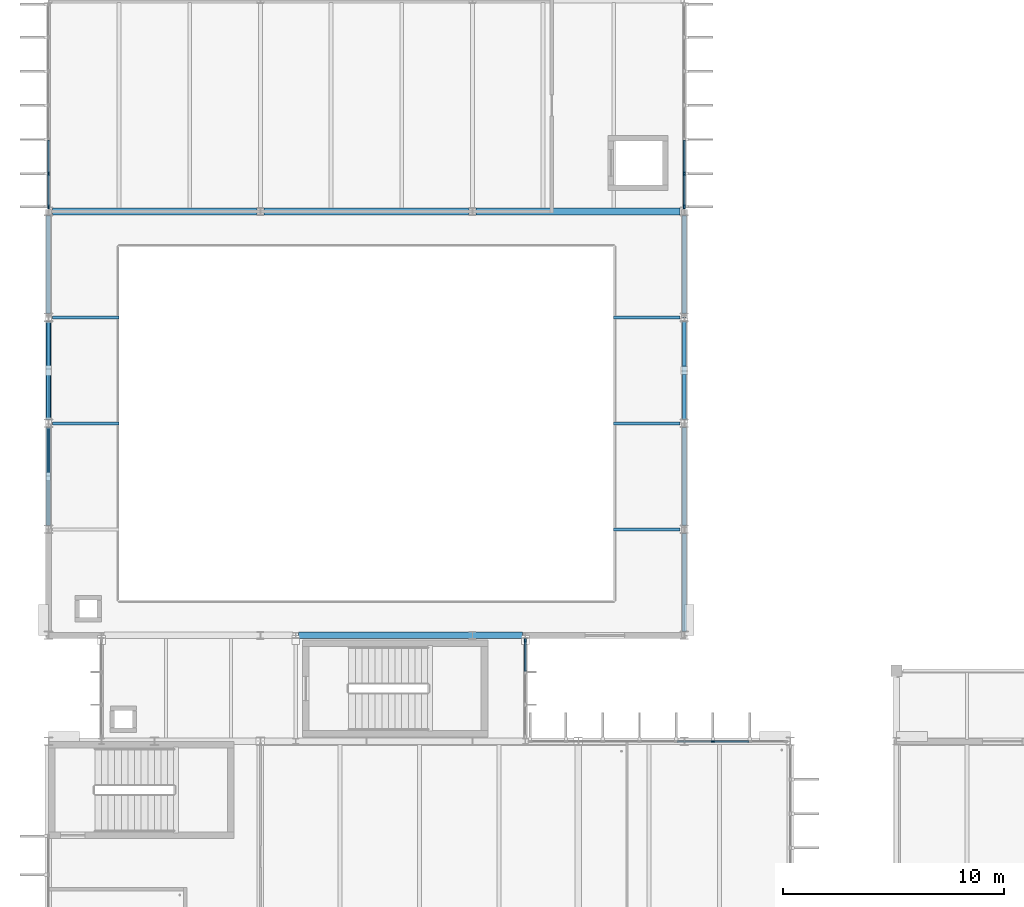
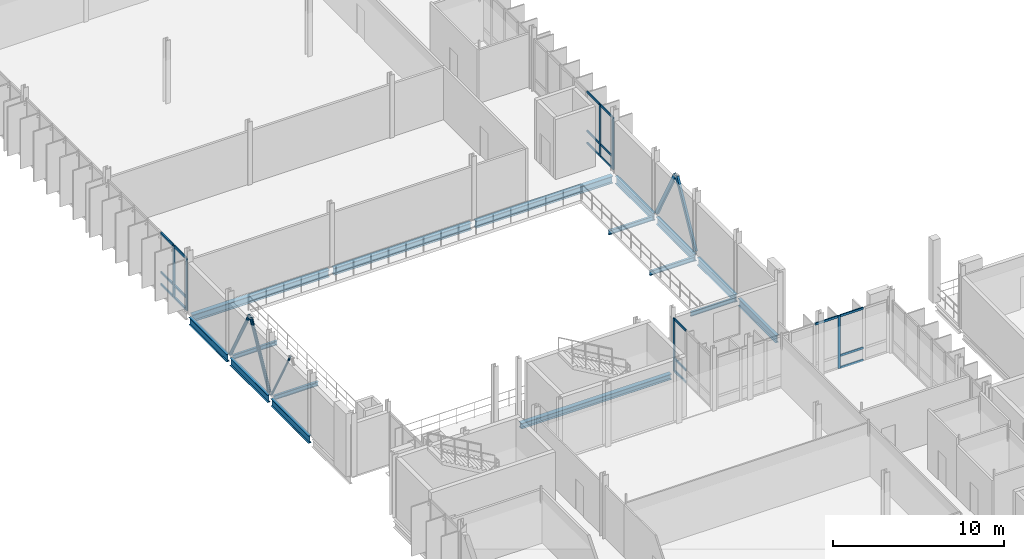
# One storey, part 23 of 107: 30 members, 16 beams, 4 elements without a shape of their own.
"""IFC4 building model written with IfcOpenShell, lengths in metres."""

from ifc_helpers import new_model, si_unit, direction, frame, origin, origin_2d, place, context, subcontext, project, spatial, rectangle, hollow_rectangle, hollow_circle, i_section, extrude, material, material_profile, profile_set, type_object, element, aggregate, save


model = new_model("IFC4")

# Units and contexts
model_context = context("Model", 3, precision=1e-05, world=origin(), true_north=direction((0.0, 1.0)))
body_context = subcontext(model_context, "Body", "Model", "MODEL_VIEW")
ifc_project = project(units=[si_unit("LENGTHUNIT", "METRE"), si_unit("AREAUNIT", "SQUARE_METRE"), si_unit("VOLUMEUNIT", "CUBIC_METRE"), si_unit("PLANEANGLEUNIT", "RADIAN"), si_unit("MASSUNIT", "GRAM", prefix="KILO")], contexts=[model_context])

# Site, building, storey
site_placement = place(None, origin())
site = spatial("IfcSite", under=ifc_project, at=site_placement, CompositionType="ELEMENT")
building_placement = place(site_placement, origin())
building = spatial("IfcBuilding", under=site, at=building_placement, Name="Dunescarp Central Library", CompositionType="ELEMENT")
storey_placement = place(building_placement, frame((0.0, 0.0, 5.10009765625)))
storey = spatial("IfcBuildingStorey", under=building, at=storey_placement, Name="L01", CompositionType="ELEMENT", Elevation=5.10009765625)

# Curtain wall, member
ifc_material_1 = material(Name="Marine-grade anodised aluminium 6063-T6", Category="aluminium")
curtain_wall_type_1 = type_object("IfcCurtainWallType", Name="ARC-CW-STICK", PredefinedType="NOTDEFINED", material=ifc_material_1)
curtain_wall_1_placement = place(storey_placement, origin())
curtain_wall_1 = element("IfcCurtainWall", 1, at=curtain_wall_1_placement, inside=storey, type_object=curtain_wall_type_1, Name="L01 curtain wall CW-V1-008", PredefinedType="NOTDEFINED")
ifc_material_profile_1 = material_profile(ifc_material_1, rectangle(XDim=0.080078125, YDim=0.179931640625, at=origin_2d()), Name="AL 80x180")
ifc_profile_set_1 = profile_set([ifc_material_profile_1], Name="Marine-grade anodised aluminium 6063-T6")
member_type_1 = type_object("IfcMemberType", Name="ARC-CWM-180", PredefinedType="MULLION", material=ifc_profile_set_1)
member_1_placement = place(storey_placement, frame((30.096435546875, 36.800048828125, 0.0), z_axis=(0.0, 0.0, 1.0), x_axis=(0.0, 1.0, 0.0)))
member_1 = element("IfcMember", 2, at=member_1_placement, type_object=member_type_1, Name="CW-V1-008 mullion 6", PredefinedType="MULLION", context=body_context, shape_type="SweptSolid", body=[
    extrude(rectangle(XDim=0.080078125, YDim=0.179931640625, at=origin_2d()), origin(), (0.0, 0.0, 1.0), 3.764892578125),
])

# Curtain wall, members
curtain_wall_2_placement = place(storey_placement, origin())
curtain_wall_2 = element("IfcCurtainWall", 3, at=curtain_wall_2_placement, inside=storey, type_object=curtain_wall_type_1, Name="L01 curtain wall CW-V4-118", PredefinedType="NOTDEFINED")
member_2_placement = place(storey_placement, frame((0.0, 61.014892578125, 0.0), z_axis=(0.0, 0.0, 1.0), x_axis=(-1.0, 0.0, 0.0)))
member_2 = element("IfcMember", 4, at=member_2_placement, type_object=member_type_1, Name="CW-V4-118 mullion 1", PredefinedType="MULLION", context=body_context, shape_type="SweptSolid", body=[
    extrude(rectangle(XDim=0.080078125, YDim=0.179931640625, at=origin_2d()), origin(), (0.0, 0.0, 1.0), 3.73193359375),
])
member_3_placement = place(storey_placement, frame((0.0, 62.5166015625, 0.0), z_axis=(0.0, 0.0, 1.0), x_axis=(-1.0, 0.0, 0.0)))
member_3 = element("IfcMember", 5, at=member_3_placement, type_object=member_type_1, Name="CW-V4-118 mullion 2", PredefinedType="MULLION", context=body_context, shape_type="SweptSolid", body=[
    extrude(rectangle(XDim=0.080078125, YDim=0.179931640625, at=origin_2d()), origin(), (0.0, 0.0, 1.0), 3.73193359375),
])

curtain_wall_3_placement = place(storey_placement, origin())
curtain_wall_3 = element("IfcCurtainWall", 6, at=curtain_wall_3_placement, inside=storey, type_object=curtain_wall_type_1, Name="L01 curtain wall CW-V4-119", PredefinedType="NOTDEFINED")
member_4_placement = place(storey_placement, frame((28.800048828125, 62.5166015625, 0.0), z_axis=(0.0, 0.0, 1.0), x_axis=(1.0, 0.0, 0.0)))
member_4 = element("IfcMember", 7, at=member_4_placement, type_object=member_type_1, Name="CW-V4-119 mullion 6", PredefinedType="MULLION", context=body_context, shape_type="SweptSolid", body=[
    extrude(rectangle(XDim=0.080078125, YDim=0.179931640625, at=origin_2d()), origin(), (0.0, 0.0, 1.0), 3.73193359375),
])
member_5_placement = place(storey_placement, frame((28.800048828125, 61.014892578125, 0.0), z_axis=(0.0, 0.0, 1.0), x_axis=(1.0, 0.0, 0.0)))
member_5 = element("IfcMember", 8, at=member_5_placement, type_object=member_type_1, Name="CW-V4-119 mullion 7", PredefinedType="MULLION", context=body_context, shape_type="SweptSolid", body=[
    extrude(rectangle(XDim=0.080078125, YDim=0.179931640625, at=origin_2d()), origin(), (0.0, 0.0, 1.0), 3.73193359375),
])

# Curtain wall, member
curtain_wall_type_2 = type_object("IfcCurtainWallType", Name="ARC-CW-LINK", PredefinedType="USERDEFINED", material=ifc_material_1)
curtain_wall_4_placement = place(storey_placement, origin())
curtain_wall_4 = element("IfcCurtainWall", 9, at=curtain_wall_4_placement, inside=storey, type_object=curtain_wall_type_2, Name="L01 curtain wall CW-GL4-E-L01", ObjectType="GLAZED_LINK_WALL", PredefinedType="USERDEFINED")
member_6_placement = place(storey_placement, frame((21.60009765625, 41.385009765625, 0.0), z_axis=(0.0, 0.0, 1.0), x_axis=(1.0, 0.0, 0.0)))
member_6 = element("IfcMember", 10, at=member_6_placement, type_object=member_type_1, Name="CW-GL4-E-L01 mullion 1", PredefinedType="MULLION", context=body_context, shape_type="SweptSolid", body=[
    extrude(rectangle(XDim=0.080078125, YDim=0.179931640625, at=origin_2d()), origin(), (0.0, 0.0, 1.0), 3.764892578125),
])

# Member
ifc_material_profile_2 = material_profile(ifc_material_1, rectangle(XDim=0.080078125, YDim=0.14990234375, at=origin_2d()), Name="AL 80x150")
ifc_profile_set_2 = profile_set([ifc_material_profile_2], Name="Marine-grade anodised aluminium 6063-T6")
member_type_2 = type_object("IfcMemberType", Name="ARC-CWT-150", PredefinedType="USERDEFINED", material=ifc_profile_set_2)
member_7_placement = place(storey_placement, frame((28.47216796875, 36.800048828125, 3.724853515625), z_axis=(1.0, 0.0, 0.0), x_axis=(0.0, 1.0, 0.0)))
member_7 = element("IfcMember", 11, at=member_7_placement, type_object=member_type_2, Name="CW-V1-008 transom 5.3", ObjectType="TRANSOM", PredefinedType="USERDEFINED", context=body_context, shape_type="SweptSolid", body=[
    extrude(rectangle(XDim=0.080078125, YDim=0.14990234375, at=origin_2d()), origin(), (0.0, 0.0, 1.0), 1.584228515625),
])

member_8_placement = place(storey_placement, frame((30.136474609375, 36.800048828125, 0.039794921875), z_axis=(1.0, 0.0, 0.0), x_axis=(0.0, 1.0, 0.0)))
member_8 = element("IfcMember", 12, at=member_8_placement, type_object=member_type_2, Name="CW-V1-008 transom 6.1", ObjectType="TRANSOM", PredefinedType="USERDEFINED", context=body_context, shape_type="SweptSolid", body=[
    extrude(rectangle(XDim=0.080078125, YDim=0.14990234375, at=origin_2d()), origin(), (0.0, 0.0, 1.0), 1.584228515625),
])

member_9_placement = place(storey_placement, frame((30.136474609375, 36.800048828125, 0.89990234375), z_axis=(1.0, 0.0, 0.0), x_axis=(0.0, 1.0, 0.0)))
member_9 = element("IfcMember", 13, at=member_9_placement, type_object=member_type_2, Name="CW-V1-008 transom 6.2", ObjectType="TRANSOM", PredefinedType="USERDEFINED", context=body_context, shape_type="SweptSolid", body=[
    extrude(rectangle(XDim=0.080078125, YDim=0.14990234375, at=origin_2d()), origin(), (0.0, 0.0, 1.0), 1.584228515625),
])

member_10_placement = place(storey_placement, frame((30.136474609375, 36.800048828125, 3.724853515625), z_axis=(1.0, 0.0, 0.0), x_axis=(0.0, 1.0, 0.0)))
member_10 = element("IfcMember", 14, at=member_10_placement, type_object=member_type_2, Name="CW-V1-008 transom 6.3", ObjectType="TRANSOM", PredefinedType="USERDEFINED", context=body_context, shape_type="SweptSolid", body=[
    extrude(rectangle(XDim=0.080078125, YDim=0.14990234375, at=origin_2d()), origin(), (0.0, 0.0, 1.0), 1.584228515625),
])

aggregate(curtain_wall_1, [member_1, member_7, member_8, member_9, member_10])

member_11_placement = place(storey_placement, frame((0.0, 61.054931640625, 0.039794921875), z_axis=(0.0, 1.0, 0.0), x_axis=(-1.0, 0.0, 0.0)))
member_11 = element("IfcMember", 15, at=member_11_placement, type_object=member_type_2, Name="CW-V4-118 transom 1.1", ObjectType="TRANSOM", PredefinedType="USERDEFINED", context=body_context, shape_type="SweptSolid", body=[
    extrude(rectangle(XDim=0.080078125, YDim=0.14990234375, at=origin_2d()), origin(), (0.0, 0.0, 1.0), 1.421630859375),
])

member_12_placement = place(storey_placement, frame((0.0, 61.054931640625, 0.89990234375), z_axis=(0.0, 1.0, 0.0), x_axis=(-1.0, 0.0, 0.0)))
member_12 = element("IfcMember", 16, at=member_12_placement, type_object=member_type_2, Name="CW-V4-118 transom 1.2", ObjectType="TRANSOM", PredefinedType="USERDEFINED", context=body_context, shape_type="SweptSolid", body=[
    extrude(rectangle(XDim=0.080078125, YDim=0.14990234375, at=origin_2d()), origin(), (0.0, 0.0, 1.0), 1.421630859375),
])

member_13_placement = place(storey_placement, frame((0.0, 61.054931640625, 3.69189453125), z_axis=(0.0, 1.0, 0.0), x_axis=(-1.0, 0.0, 0.0)))
member_13 = element("IfcMember", 17, at=member_13_placement, type_object=member_type_2, Name="CW-V4-118 transom 1.3", ObjectType="TRANSOM", PredefinedType="USERDEFINED", context=body_context, shape_type="SweptSolid", body=[
    extrude(rectangle(XDim=0.080078125, YDim=0.14990234375, at=origin_2d()), origin(), (0.0, 0.0, 1.0), 1.421630859375),
])

member_14_placement = place(storey_placement, frame((0.0, 62.556640625, 0.039794921875), z_axis=(0.0, 1.0, 0.0), x_axis=(-1.0, 0.0, 0.0)))
member_14 = element("IfcMember", 18, at=member_14_placement, type_object=member_type_2, Name="CW-V4-118 transom 2.1", ObjectType="TRANSOM", PredefinedType="USERDEFINED", context=body_context, shape_type="SweptSolid", body=[
    extrude(rectangle(XDim=0.080078125, YDim=0.14990234375, at=origin_2d()), origin(), (0.0, 0.0, 1.0), 1.461669921875),
])

member_15_placement = place(storey_placement, frame((0.0, 62.556640625, 0.89990234375), z_axis=(0.0, 1.0, 0.0), x_axis=(-1.0, 0.0, 0.0)))
member_15 = element("IfcMember", 19, at=member_15_placement, type_object=member_type_2, Name="CW-V4-118 transom 2.2", ObjectType="TRANSOM", PredefinedType="USERDEFINED", context=body_context, shape_type="SweptSolid", body=[
    extrude(rectangle(XDim=0.080078125, YDim=0.14990234375, at=origin_2d()), origin(), (0.0, 0.0, 1.0), 1.461669921875),
])

member_16_placement = place(storey_placement, frame((0.0, 62.556640625, 3.69189453125), z_axis=(0.0, 1.0, 0.0), x_axis=(-1.0, 0.0, 0.0)))
member_16 = element("IfcMember", 20, at=member_16_placement, type_object=member_type_2, Name="CW-V4-118 transom 2.3", ObjectType="TRANSOM", PredefinedType="USERDEFINED", context=body_context, shape_type="SweptSolid", body=[
    extrude(rectangle(XDim=0.080078125, YDim=0.14990234375, at=origin_2d()), origin(), (0.0, 0.0, 1.0), 1.461669921875),
])

aggregate(curtain_wall_2, [member_2, member_3, member_11, member_12, member_13, member_14, member_15, member_16])

member_17_placement = place(storey_placement, frame((28.800048828125, 64.018310546875, 0.039794921875), z_axis=(0.0, -1.0, 0.0), x_axis=(1.0, 0.0, 0.0)))
member_17 = element("IfcMember", 21, at=member_17_placement, type_object=member_type_2, Name="CW-V4-119 transom 5.1", ObjectType="TRANSOM", PredefinedType="USERDEFINED", context=body_context, shape_type="SweptSolid", body=[
    extrude(rectangle(XDim=0.080078125, YDim=0.14990234375, at=origin_2d()), origin(), (0.0, 0.0, 1.0), 1.461669921875),
])

member_18_placement = place(storey_placement, frame((28.800048828125, 64.018310546875, 0.89990234375), z_axis=(0.0, -1.0, 0.0), x_axis=(1.0, 0.0, 0.0)))
member_18 = element("IfcMember", 22, at=member_18_placement, type_object=member_type_2, Name="CW-V4-119 transom 5.2", ObjectType="TRANSOM", PredefinedType="USERDEFINED", context=body_context, shape_type="SweptSolid", body=[
    extrude(rectangle(XDim=0.080078125, YDim=0.14990234375, at=origin_2d()), origin(), (0.0, 0.0, 1.0), 1.461669921875),
])

member_19_placement = place(storey_placement, frame((28.800048828125, 64.018310546875, 3.69189453125), z_axis=(0.0, -1.0, 0.0), x_axis=(1.0, 0.0, 0.0)))
member_19 = element("IfcMember", 23, at=member_19_placement, type_object=member_type_2, Name="CW-V4-119 transom 5.3", ObjectType="TRANSOM", PredefinedType="USERDEFINED", context=body_context, shape_type="SweptSolid", body=[
    extrude(rectangle(XDim=0.080078125, YDim=0.14990234375, at=origin_2d()), origin(), (0.0, 0.0, 1.0), 1.461669921875),
])

member_20_placement = place(storey_placement, frame((28.800048828125, 62.4765625, 0.039794921875), z_axis=(0.0, -1.0, 0.0), x_axis=(1.0, 0.0, 0.0)))
member_20 = element("IfcMember", 24, at=member_20_placement, type_object=member_type_2, Name="CW-V4-119 transom 6.1", ObjectType="TRANSOM", PredefinedType="USERDEFINED", context=body_context, shape_type="SweptSolid", body=[
    extrude(rectangle(XDim=0.080078125, YDim=0.14990234375, at=origin_2d()), origin(), (0.0, 0.0, 1.0), 1.421630859375),
])

member_21_placement = place(storey_placement, frame((28.800048828125, 62.4765625, 0.89990234375), z_axis=(0.0, -1.0, 0.0), x_axis=(1.0, 0.0, 0.0)))
member_21 = element("IfcMember", 25, at=member_21_placement, type_object=member_type_2, Name="CW-V4-119 transom 6.2", ObjectType="TRANSOM", PredefinedType="USERDEFINED", context=body_context, shape_type="SweptSolid", body=[
    extrude(rectangle(XDim=0.080078125, YDim=0.14990234375, at=origin_2d()), origin(), (0.0, 0.0, 1.0), 1.421630859375),
])

member_22_placement = place(storey_placement, frame((28.800048828125, 62.4765625, 3.69189453125), z_axis=(0.0, -1.0, 0.0), x_axis=(1.0, 0.0, 0.0)))
member_22 = element("IfcMember", 26, at=member_22_placement, type_object=member_type_2, Name="CW-V4-119 transom 6.3", ObjectType="TRANSOM", PredefinedType="USERDEFINED", context=body_context, shape_type="SweptSolid", body=[
    extrude(rectangle(XDim=0.080078125, YDim=0.14990234375, at=origin_2d()), origin(), (0.0, 0.0, 1.0), 1.421630859375),
])

aggregate(curtain_wall_3, [member_4, member_5, member_17, member_18, member_19, member_20, member_21, member_22])

member_23_placement = place(storey_placement, frame((21.60009765625, 41.344970703125, 0.039794921875), z_axis=(0.0, -1.0, 0.0), x_axis=(1.0, 0.0, 0.0)))
member_23 = element("IfcMember", 27, at=member_23_placement, type_object=member_type_2, Name="CW-GL4-E-L01 transom 1.1", ObjectType="TRANSOM", PredefinedType="USERDEFINED", context=body_context, shape_type="SweptSolid", body=[
    extrude(rectangle(XDim=0.080078125, YDim=0.14990234375, at=origin_2d()), origin(), (0.0, 0.0, 1.0), 1.36328125),
])

member_24_placement = place(storey_placement, frame((21.60009765625, 41.344970703125, 0.89990234375), z_axis=(0.0, -1.0, 0.0), x_axis=(1.0, 0.0, 0.0)))
member_24 = element("IfcMember", 28, at=member_24_placement, type_object=member_type_2, Name="CW-GL4-E-L01 transom 1.2", ObjectType="TRANSOM", PredefinedType="USERDEFINED", context=body_context, shape_type="SweptSolid", body=[
    extrude(rectangle(XDim=0.080078125, YDim=0.14990234375, at=origin_2d()), origin(), (0.0, 0.0, 1.0), 1.36328125),
])

member_25_placement = place(storey_placement, frame((21.60009765625, 41.344970703125, 3.724853515625), z_axis=(0.0, -1.0, 0.0), x_axis=(1.0, 0.0, 0.0)))
member_25 = element("IfcMember", 29, at=member_25_placement, type_object=member_type_2, Name="CW-GL4-E-L01 transom 1.3", ObjectType="TRANSOM", PredefinedType="USERDEFINED", context=body_context, shape_type="SweptSolid", body=[
    extrude(rectangle(XDim=0.080078125, YDim=0.14990234375, at=origin_2d()), origin(), (0.0, 0.0, 1.0), 1.36328125),
])

aggregate(curtain_wall_4, [member_6, member_23, member_24, member_25])

# Beams
ifc_material_2 = material(Name="Steel S355JR", Category="steel")
ifc_material_profile_3 = material_profile(ifc_material_2, i_section(OverallWidth=0.300048828125, OverallDepth=0.389892578125, WebThickness=0.010986328125, FlangeThickness=0.01904296875, at=origin_2d()), Name="HEA 400")
ifc_profile_set_3 = profile_set([ifc_material_profile_3], Name="Steel S355JR")
beam_type_1 = type_object("IfcBeamType", Name="STR-BM-HEA400", PredefinedType="BEAM", material=ifc_profile_set_3)
beam_1_placement = place(storey_placement, frame((11.324951171875, 41.60009765625, -0.4150390625), z_axis=(1.0, 0.0, 0.0), x_axis=(0.0, 1.0, 0.0)))
element("IfcBeam", 30, at=beam_1_placement, inside=storey, type_object=beam_type_1, Name="L01 girder BM-L01-1270", PredefinedType="BEAM", context=body_context, shape_type="SweptSolid", body=[
    extrude(i_section(OverallWidth=0.300048828125, OverallDepth=0.389892578125, WebThickness=0.010986328125, FlangeThickness=0.01904296875, at=origin_2d()), origin(), (0.0, 0.0, 1.0), 10.150146484375),
])
ifc_material_profile_4 = material_profile(ifc_material_2, i_section(OverallWidth=0.300048828125, OverallDepth=0.5, WebThickness=0.014404296875, FlangeThickness=0.028076171875, at=origin_2d()), Name="HEB 500")
ifc_profile_set_4 = profile_set([ifc_material_profile_4], Name="Steel S355JR")
beam_type_2 = type_object("IfcBeamType", Name="STR-BM-HEB500", PredefinedType="BEAM", material=ifc_profile_set_4)
beam_2_placement = place(storey_placement, frame((0.194091796875, 60.800048828125, -0.47021484375), z_axis=(1.0, 0.0, 0.0), x_axis=(0.0, 1.0, 0.0)))
element("IfcBeam", 31, at=beam_2_placement, inside=storey, type_object=beam_type_2, Name="L01 girder BM-L01-0945", PredefinedType="BEAM", context=body_context, shape_type="SweptSolid", body=[
    extrude(i_section(OverallWidth=0.300048828125, OverallDepth=0.5, WebThickness=0.014404296875, FlangeThickness=0.028076171875, at=origin_2d()), origin(), (0.0, 0.0, 1.0), 9.2529296875),
])
beam_3_placement = place(storey_placement, frame((9.7529296875, 60.800048828125, -0.47021484375), z_axis=(1.0, 0.0, 0.0), x_axis=(0.0, 1.0, 0.0)))
element("IfcBeam", 32, at=beam_3_placement, inside=storey, type_object=beam_type_2, Name="L01 girder BM-L01-0961", PredefinedType="BEAM", context=body_context, shape_type="SweptSolid", body=[
    extrude(i_section(OverallWidth=0.300048828125, OverallDepth=0.5, WebThickness=0.014404296875, FlangeThickness=0.028076171875, at=origin_2d()), origin(), (0.0, 0.0, 1.0), 9.294189453125),
])
beam_4_placement = place(storey_placement, frame((19.35302734375, 60.800048828125, -0.47021484375), z_axis=(1.0, 0.0, 0.0), x_axis=(0.0, 1.0, 0.0)))
element("IfcBeam", 33, at=beam_4_placement, inside=storey, type_object=beam_type_2, Name="L01 girder BM-L01-0974", PredefinedType="BEAM", context=body_context, shape_type="SweptSolid", body=[
    extrude(i_section(OverallWidth=0.300048828125, OverallDepth=0.5, WebThickness=0.014404296875, FlangeThickness=0.028076171875, at=origin_2d()), origin(), (0.0, 0.0, 1.0), 9.2529296875),
])
ifc_material_profile_5 = material_profile(ifc_material_2, i_section(OverallWidth=0.209228515625, OverallDepth=0.533203125, WebThickness=0.010009765625, FlangeThickness=0.015625, at=origin_2d()), Name="UB 533x210x92")
ifc_profile_set_5 = profile_set([ifc_material_profile_5], Name="Steel S355JR")
beam_type_3 = type_object("IfcBeamType", Name="STR-BM-UB533", PredefinedType="BEAM", material=ifc_profile_set_5)
for number, where, z_axis, x_axis, name in (
    (34, (0.0, 46.587890625, -0.486083984375), (0.0, 1.0, 0.0), (-1.0, 0.0, 0.0), "L01 auditorium edge girder BM-L01-1335"),
    (35, (0.0, 51.387939453125, -0.486083984375), (0.0, 1.0, 0.0), (-1.0, 0.0, 0.0), "L01 auditorium edge girder BM-L01-1336"),
    (36, (0.0, 56.18798828125, -0.486083984375), (0.0, 1.0, 0.0), (-1.0, 0.0, 0.0), "L01 auditorium edge girder BM-L01-1337"),
):
    element("IfcBeam", number, at=place(storey_placement, frame(where, z_axis=z_axis, x_axis=x_axis)), inside=storey, type_object=beam_type_3, Name=name, PredefinedType="BEAM", context=body_context, shape_type="SweptSolid", body=[
        extrude(i_section(OverallWidth=0.209228515625, OverallDepth=0.533203125, WebThickness=0.010009765625, FlangeThickness=0.015625, at=origin_2d()), origin(), (0.0, 0.0, 1.0), 4.424072265625),
    ])
beam_5_placement = place(storey_placement, frame((28.800048828125, 41.7880859375, -0.486083984375), z_axis=(0.0, 1.0, 0.0), x_axis=(-1.0, 0.0, 0.0)))
element("IfcBeam", 37, at=beam_5_placement, inside=storey, type_object=beam_type_3, Name="L01 auditorium edge girder BM-L01-1338", PredefinedType="BEAM", context=body_context, shape_type="SweptSolid", body=[
    extrude(i_section(OverallWidth=0.209228515625, OverallDepth=0.533203125, WebThickness=0.010009765625, FlangeThickness=0.015625, at=origin_2d()), origin(), (0.0, 0.0, 1.0), 4.423828125),
])
for number, where, z_axis, x_axis, name in (
    (38, (28.800048828125, 46.587890625, -0.486083984375), (0.0, 1.0, 0.0), (-1.0, 0.0, 0.0), "L01 auditorium edge girder BM-L01-1339"),
    (39, (28.800048828125, 51.387939453125, -0.486083984375), (0.0, 1.0, 0.0), (-1.0, 0.0, 0.0), "L01 auditorium edge girder BM-L01-1340"),
    (40, (28.800048828125, 56.18798828125, -0.486083984375), (0.0, 1.0, 0.0), (-1.0, 0.0, 0.0), "L01 auditorium edge girder BM-L01-1341"),
):
    element("IfcBeam", number, at=place(storey_placement, frame(where, z_axis=z_axis, x_axis=x_axis)), inside=storey, type_object=beam_type_3, Name=name, PredefinedType="BEAM", context=body_context, shape_type="SweptSolid", body=[
        extrude(i_section(OverallWidth=0.209228515625, OverallDepth=0.533203125, WebThickness=0.010009765625, FlangeThickness=0.015625, at=origin_2d()), origin(), (0.0, 0.0, 1.0), 4.424072265625),
    ])

# Members
ifc_material_3 = material(Name="Steel S355J0", Category="steel")
ifc_material_profile_6 = material_profile(ifc_material_3, hollow_circle(Radius=0.06982421875, WallThickness=0.00634765625, at=origin_2d()), Name="CHS 139.7x6.3")
ifc_profile_set_6 = profile_set([ifc_material_profile_6], Name="Steel S355J0")
member_type_3 = type_object("IfcMemberType", Name="STR-BR-139", PredefinedType="BRACE", material=ifc_profile_set_6)
member_26_placement = place(storey_placement, frame((0.0, 51.080078125, 0.0), z_axis=(0.0, -0.477381745593, 0.87869600487), x_axis=(1.0, 0.0, 0.0)))
element("IfcMember", 41, at=member_26_placement, inside=storey, type_object=member_type_3, Name="L01 concentric brace BR-L01-054", PredefinedType="BRACE", context=body_context, shape_type="SweptSolid", body=[
    extrude(hollow_circle(Radius=0.06982421875, WallThickness=0.00634765625, at=origin_2d()), origin(), (0.0, 0.0, 1.0), 4.60888671875),
])
ifc_material_profile_7 = material_profile(ifc_material_3, hollow_circle(Radius=0.109619140625, WallThickness=0.010009765625, at=origin_2d()), Name="CHS 219.1x10")
ifc_profile_set_7 = profile_set([ifc_material_profile_7], Name="Steel S355J0")
member_type_4 = type_object("IfcMemberType", Name="STR-BR-219", PredefinedType="BRACE", material=ifc_profile_set_7)
for number, where, z_axis, x_axis, name in (
    (42, (0.0, 51.320068359375, 0.0), (0.0, 0.477340844171, 0.878718224738), (-1.0, 0.0, 0.0), "L01 concentric brace BR-L01-051"),
    (43, (0.0, 55.8798828125, 0.0), (0.0, -0.477340844171, 0.878718224738), (1.0, 0.0, 0.0), "L01 concentric brace BR-L01-052"),
):
    element("IfcMember", number, at=place(storey_placement, frame(where, z_axis=z_axis, x_axis=x_axis)), inside=storey, type_object=member_type_4, Name=name, PredefinedType="BRACE", context=body_context, shape_type="SweptSolid", body=[
        extrude(hollow_circle(Radius=0.109619140625, WallThickness=0.010009765625, at=origin_2d()), origin(), (0.0, 0.0, 1.0), 4.608642578125),
    ])
ifc_material_profile_8 = material_profile(ifc_material_3, hollow_rectangle(XDim=0.14990234375, YDim=0.25, WallThickness=0.008056640625, at=origin_2d()), Name="RHS 250x150x8")
ifc_profile_set_8 = profile_set([ifc_material_profile_8], Name="Steel S355J0")
member_type_5 = type_object("IfcMemberType", Name="STR-BR-RHS250", PredefinedType="BRACE", material=ifc_profile_set_8)
for number, where, z_axis, x_axis, name in (
    (44, (28.800048828125, 51.320068359375, 0.0), (0.0, 0.477340844171, 0.878718224738), (-1.0, 0.0, 0.0), "L01 concentric brace BR-L01-057"),
    (45, (28.800048828125, 55.8798828125, 0.0), (0.0, -0.477340844171, 0.878718224738), (1.0, 0.0, 0.0), "L01 concentric brace BR-L01-058"),
):
    element("IfcMember", number, at=place(storey_placement, frame(where, z_axis=z_axis, x_axis=x_axis)), inside=storey, type_object=member_type_5, Name=name, PredefinedType="BRACE", context=body_context, shape_type="SweptSolid", body=[
        extrude(hollow_rectangle(XDim=0.14990234375, YDim=0.25, WallThickness=0.008056640625, at=origin_2d()), origin(), (0.0, 0.0, 1.0), 4.608642578125),
    ])

# Beams
ifc_material_profile_9 = material_profile(ifc_material_2, i_section(OverallWidth=0.14990234375, OverallDepth=0.300048828125, WebThickness=0.007080078125, FlangeThickness=0.0107421875, at=origin_2d()), Name="IPE 300")
ifc_profile_set_9 = profile_set([ifc_material_profile_9], Name="Steel S355JR")
beam_type_4 = type_object("IfcBeamType", Name="STR-JS-IPE300", PredefinedType="JOIST", material=ifc_profile_set_9)
for number, where, z_axis, x_axis, name in (
    (46, (25.60009765625, 46.39990234375, -0.3701171875), (1.0, 0.0, 0.0), (0.0, 1.0, 0.0), "L01 gallery bracket beam BM-L01-1343"),
    (47, (0.194091796875, 51.199951171875, -0.3701171875), (1.0, 0.0, 0.0), (0.0, 1.0, 0.0), "L01 gallery bracket beam BM-L01-1344"),
    (48, (25.60009765625, 51.199951171875, -0.3701171875), (1.0, 0.0, 0.0), (0.0, 1.0, 0.0), "L01 gallery bracket beam BM-L01-1345"),
    (49, (0.194091796875, 56.0, -0.3701171875), (1.0, 0.0, 0.0), (0.0, 1.0, 0.0), "L01 gallery bracket beam BM-L01-1346"),
    (50, (25.60009765625, 56.0, -0.3701171875), (1.0, 0.0, 0.0), (0.0, 1.0, 0.0), "L01 gallery bracket beam BM-L01-1347"),
):
    element("IfcBeam", number, at=place(storey_placement, frame(where, z_axis=z_axis, x_axis=x_axis)), inside=storey, type_object=beam_type_4, Name=name, PredefinedType="JOIST", context=body_context, shape_type="SweptSolid", body=[
        extrude(i_section(OverallWidth=0.14990234375, OverallDepth=0.300048828125, WebThickness=0.007080078125, FlangeThickness=0.0107421875, at=origin_2d()), origin(), (0.0, 0.0, 1.0), 3.005859375),
    ])

save(model, "model.ifc")
